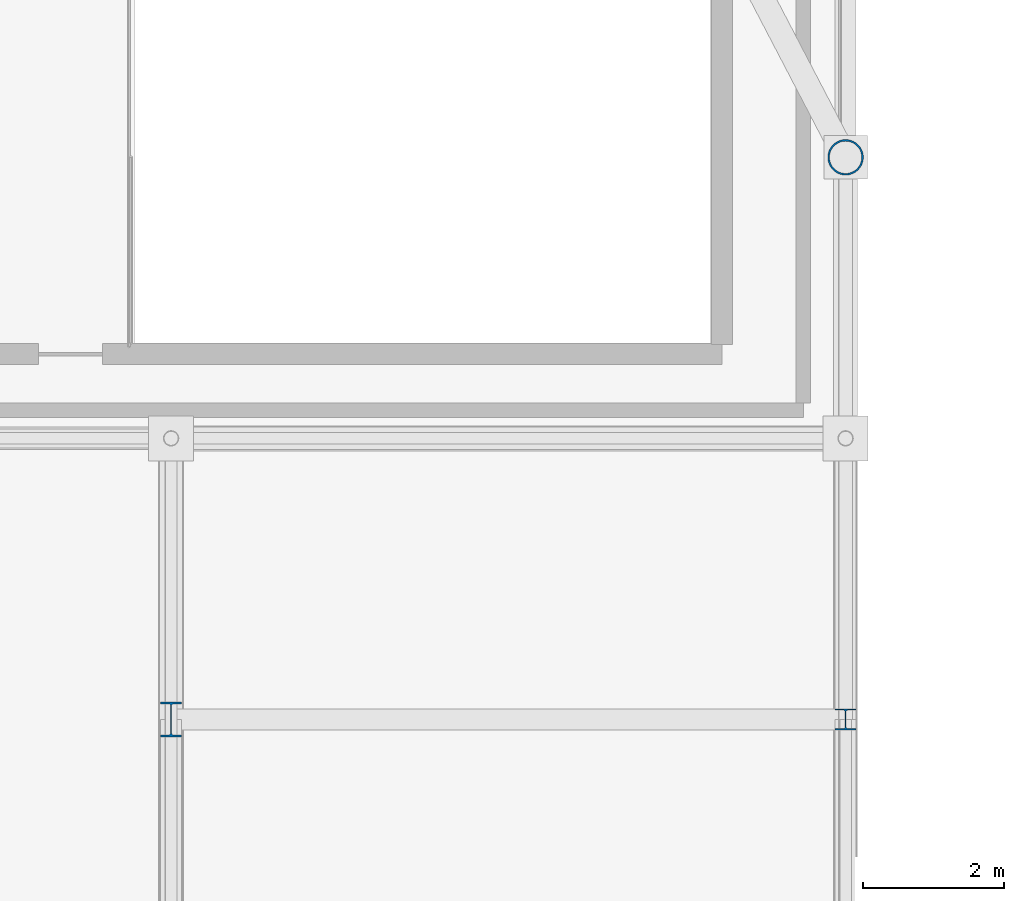
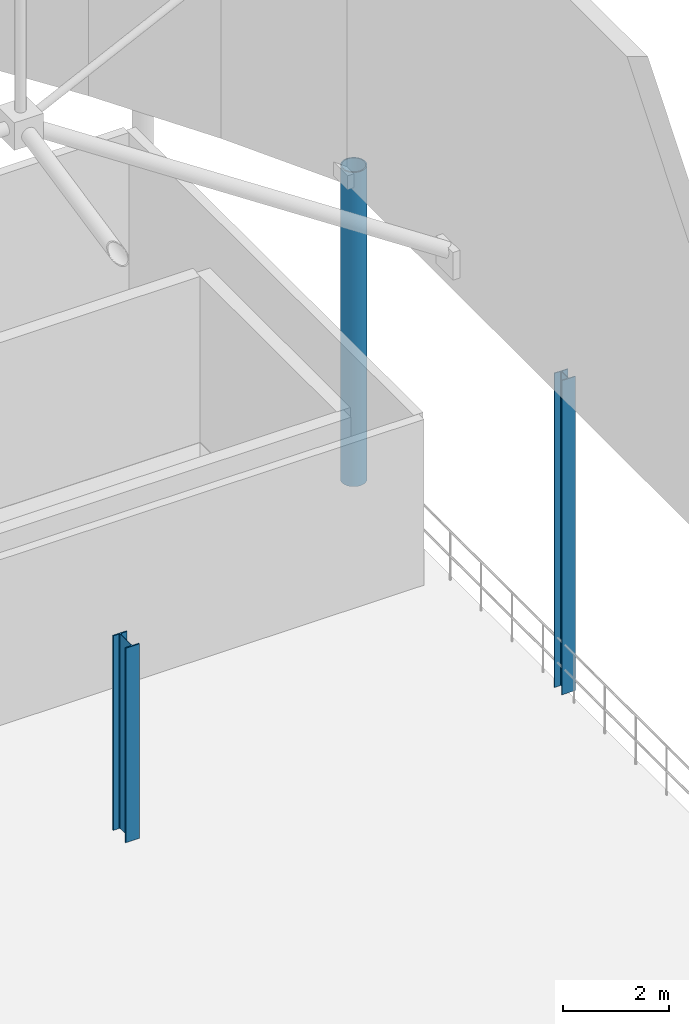
# One storey, part 20 of 193: 3 columns.
"""IFC4 building model written with IfcOpenShell, lengths in metres."""

from ifc_helpers import new_model, si_unit, direction, frame, origin, origin_2d, place, context, subcontext, project, spatial, hollow_circle, i_section, extrude, material, material_profile, profile_set, type_object, element, save


model = new_model("IFC4")

# Units and contexts
model_context = context("Model", 3, precision=1e-05, world=origin(), true_north=direction((0.0, 1.0)))
body_context = subcontext(model_context, "Body", "Model", "MODEL_VIEW")
ifc_project = project(units=[si_unit("LENGTHUNIT", "METRE"), si_unit("AREAUNIT", "SQUARE_METRE"), si_unit("VOLUMEUNIT", "CUBIC_METRE"), si_unit("PLANEANGLEUNIT", "RADIAN"), si_unit("MASSUNIT", "GRAM", prefix="KILO")], contexts=[model_context])

# Site, building, storey
site_placement = place(None, origin())
site = spatial("IfcSite", under=ifc_project, at=site_placement, CompositionType="ELEMENT")
building_placement = place(site_placement, origin())
building = spatial("IfcBuilding", under=site, at=building_placement, Name="Danafjord Basin Convention Centre", CompositionType="ELEMENT")
storey_placement = place(building_placement, frame((0.0, 0.0, 11.39990234375)))
storey = spatial("IfcBuildingStorey", under=building, at=storey_placement, Name="L02", CompositionType="ELEMENT", Elevation=11.39990234375)

# Columns
ifc_material = material(Name="Steel S355", Category="steel")
ifc_material_profile_1 = material_profile(ifc_material, hollow_circle(Radius=0.25390625, WallThickness=0.02490234375, at=origin_2d()), Name="CHS 508.0x25.0")
ifc_profile_set_1 = profile_set([ifc_material_profile_1], Name="Steel S355")
column_type_1 = type_object("IfcColumnType", Name="COL-C-CHS508", PredefinedType="COLUMN", material=ifc_profile_set_1)
column_1_placement = place(storey_placement, frame((201.60009765625, 120.0, 0.0), z_axis=(0.0, 0.0, 1.0), x_axis=(1.0, 0.0, 0.0)))
element("IfcColumn", 1, at=column_1_placement, inside=storey, type_object=column_type_1, Name="L02 column C-CHS508 at (201.6, 120.0)", PredefinedType="COLUMN", context=body_context, shape_type="SweptSolid", body=[
    extrude(hollow_circle(Radius=0.25390625, WallThickness=0.02490234375, at=origin_2d()), origin(), (0.0, 0.0, 1.0), 7.27001953125),
])
ifc_material_profile_2 = material_profile(ifc_material, i_section(OverallWidth=0.300048828125, OverallDepth=0.300048828125, WebThickness=0.010986328125, FlangeThickness=0.01904296875, FilletRadius=0.027099609375, at=origin_2d()), Name="HEB 300")
ifc_profile_set_2 = profile_set([ifc_material_profile_2], Name="Steel S355")
column_type_2 = type_object("IfcColumnType", Name="COL-C-HEB300", PredefinedType="COLUMN", material=ifc_profile_set_2)
column_2_placement = place(storey_placement, frame((201.60009765625, 112.0, 0.0), z_axis=(0.0, 0.0, 1.0), x_axis=(1.0, 0.0, 0.0)))
element("IfcColumn", 2, at=column_2_placement, inside=storey, type_object=column_type_2, Name="L02 column C-HEB300 at (201.6, 112.0)", PredefinedType="COLUMN", context=body_context, shape_type="SweptSolid", body=[
    extrude(i_section(OverallWidth=0.300048828125, OverallDepth=0.300048828125, WebThickness=0.010986328125, FlangeThickness=0.01904296875, FilletRadius=0.027099609375, at=origin_2d()), origin(), (0.0, 0.0, 1.0), 7.27001953125),
])
ifc_material_profile_3 = material_profile(ifc_material, i_section(OverallWidth=0.300048828125, OverallDepth=0.5, WebThickness=0.014404296875, FlangeThickness=0.028076171875, FilletRadius=0.027099609375, at=origin_2d()), Name="HEB 500")
ifc_profile_set_3 = profile_set([ifc_material_profile_3], Name="Steel S355")
column_type_3 = type_object("IfcColumnType", Name="COL-C-HEB500", PredefinedType="COLUMN", material=ifc_profile_set_3)
column_3_placement = place(storey_placement, frame((192.0, 112.0, 0.0), z_axis=(0.0, 0.0, 1.0), x_axis=(1.0, 0.0, 0.0)))
element("IfcColumn", 3, at=column_3_placement, inside=storey, type_object=column_type_3, Name="L02 column C-HEB500 at (192.0, 112.0)", PredefinedType="COLUMN", context=body_context, shape_type="SweptSolid", body=[
    extrude(i_section(OverallWidth=0.300048828125, OverallDepth=0.5, WebThickness=0.014404296875, FlangeThickness=0.028076171875, FilletRadius=0.027099609375, at=origin_2d()), origin(), (0.0, 0.0, 1.0), 4.5),
])

save(model, "model.ifc")
